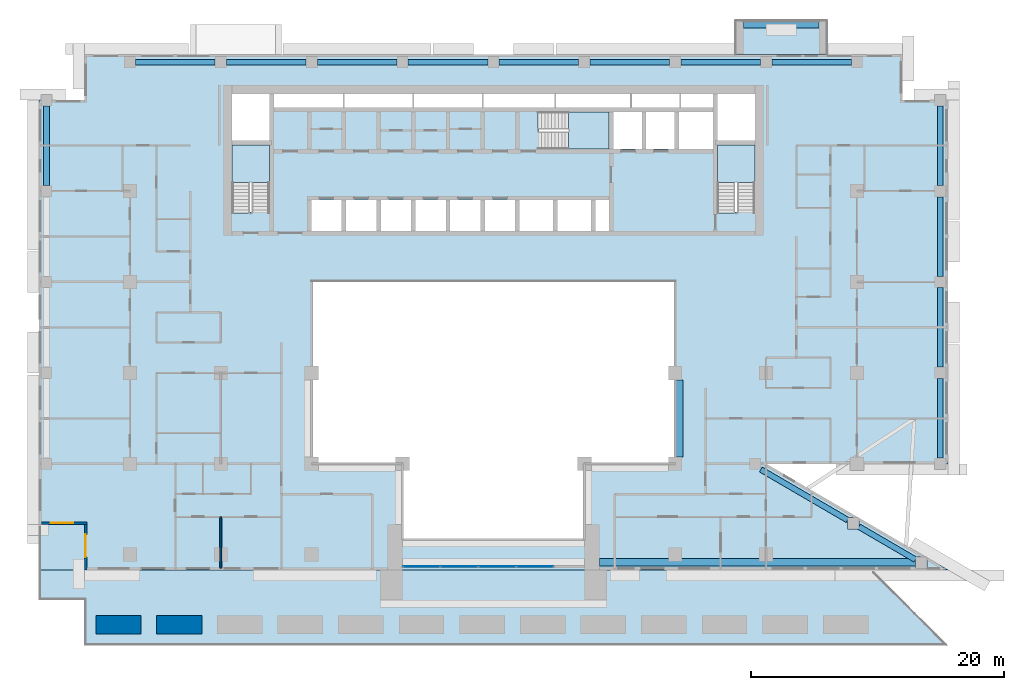
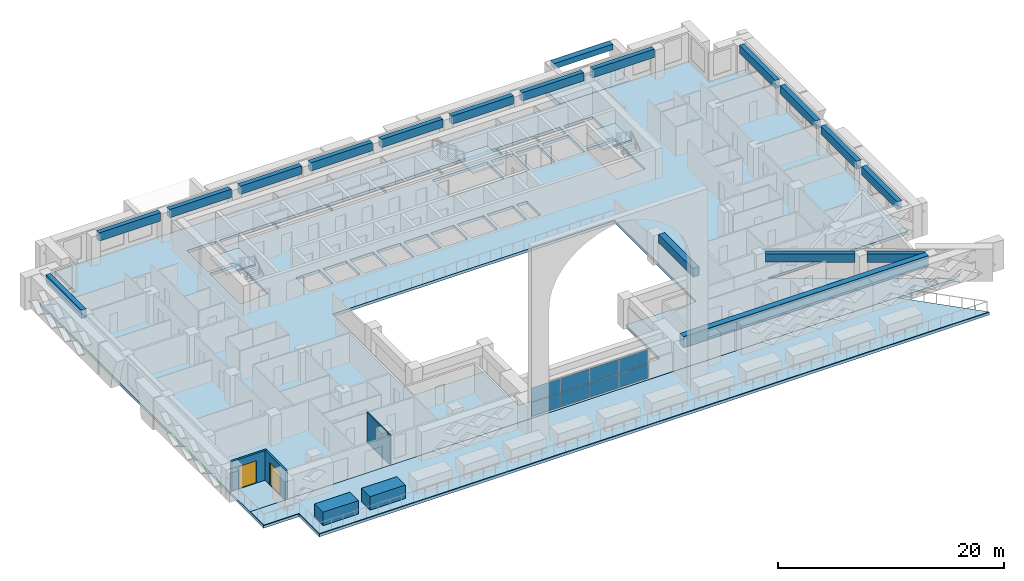
# One storey, part 5 of 17: 18 beams, 8 plates, 7 slabs, 5 walls, 2 doors, 2 openings, 4 elements without a shape of their own.
"""IFC4 building model written with IfcOpenShell, lengths in metres."""

from ifc_helpers import new_model, si_unit, direction, frame, frame_2d, origin, origin_2d, place, context, subcontext, project, spatial, polyline, rectangle, outline, extrude, source, transform, mapped, material, layer, layer_set, material_profile, profile_set, type_object, element, fill, aggregate, save


model = new_model("IFC4")

# Units and contexts
model_context = context("Model", 3, precision=1e-05, world=origin(), true_north=direction((0.0, 1.0)))
body_context = subcontext(model_context, "Body", "Model", "MODEL_VIEW")
ifc_project = project(units=[si_unit("LENGTHUNIT", "METRE"), si_unit("AREAUNIT", "SQUARE_METRE"), si_unit("VOLUMEUNIT", "CUBIC_METRE"), si_unit("PLANEANGLEUNIT", "RADIAN"), si_unit("MASSUNIT", "GRAM", prefix="KILO")], contexts=[model_context])

# Site, building, storey
site_placement = place(None, origin())
site = spatial("IfcSite", under=ifc_project, at=site_placement, CompositionType="ELEMENT")
building_placement = place(site_placement, origin())
building = spatial("IfcBuilding", under=site, at=building_placement, Name="Saffron Iwan Residences", CompositionType="ELEMENT")
storey_placement = place(building_placement, frame((0.0, 0.0, 113.0)))
storey = spatial("IfcBuildingStorey", under=building, at=storey_placement, Name="L29", CompositionType="ELEMENT", Elevation=113.0)

# Beams
ifc_material_1 = material(Name="Concrete C50/60", Category="concrete")
ifc_material_profile_1 = material_profile(ifc_material_1, rectangle(XDim=0.449951171875, YDim=0.89990234375, at=origin_2d()), Name="RC 450x900")
ifc_profile_set_1 = profile_set([ifc_material_profile_1], Name="Concrete C50/60")
beam_type_1 = type_object("IfcBeamType", Name="SPANDREL BEAM RC 450x900 C50/60 TOP 3200", PredefinedType="SPANDREL", material=ifc_profile_set_1)
shared_shape_1 = source(origin(), body_context, "Body", "SweptSolid", [
    extrude(rectangle(XDim=0.449951171875, YDim=0.89990234375, at=origin_2d()), origin(), (0.0, 0.0, 1.0), 5.184814453125),
])
beam_1_placement = place(storey_placement, frame((79.34765625, 43.019287109375, 2.75), z_axis=(0.86377206948, -0.503882736345, 0.0), x_axis=(0.503882736345, 0.86377206948, 0.0)))
element("IfcBeam", 1, at=beam_1_placement, inside=storey, type_object=beam_type_1, Name="Spandrel beam", PredefinedType="SPANDREL", context=body_context, shape_type="MappedRepresentation", body=[
    mapped(shared_shape_1, transform((0.0, 0.0, 0.0))),
])
shared_shape_2 = source(origin(), body_context, "Body", "SweptSolid", [
    extrude(rectangle(XDim=0.449951171875, YDim=0.89990234375, at=origin_2d()), origin(), (0.0, 0.0, 1.0), 7.9501953125),
])
beam_2_placement = place(storey_placement, frame((71.58056640625, 47.550048828125, 2.75), z_axis=(0.863778900898, -0.503871025524, 0.0), x_axis=(0.503871025524, 0.863778900898, 0.0)))
element("IfcBeam", 2, at=beam_2_placement, inside=storey, type_object=beam_type_1, Name="Spandrel beam", PredefinedType="SPANDREL", context=body_context, shape_type="MappedRepresentation", body=[
    mapped(shared_shape_2, transform((0.0, 0.0, 0.0))),
])
shared_shape_3 = source(origin(), body_context, "Body", "SweptSolid", [
    extrude(rectangle(XDim=0.449951171875, YDim=0.89990234375, at=origin_2d()), origin(), (0.0, 0.0, 1.0), 6.300048828125),
])
for number, where, z_axis, x_axis, name in (
    (3, (85.800048828125, 54.75, 2.75), (0.0, -1.0, 0.0), (1.0, 0.0, 0.0), "Spandrel beam"),
    (4, (85.800048828125, 61.949951171875, 2.75), (0.0, -1.0, 0.0), (1.0, 0.0, 0.0), "Spandrel beam"),
    (5, (15.0, 70.050048828125, 2.75), (0.0, 1.0, 0.0), (-1.0, 0.0, 0.0), "Spandrel beam"),
    (6, (85.800048828125, 76.35009765625, 2.75), (0.0, -1.0, 0.0), (1.0, 0.0, 0.0), "Spandrel beam"),
    (7, (22.050048828125, 79.800048828125, 2.75), (1.0, 0.0, 0.0), (0.0, 1.0, 0.0), "Spandrel beam"),
    (8, (29.25, 79.800048828125, 2.75), (1.0, 0.0, 0.0), (0.0, 1.0, 0.0), "Spandrel beam"),
    (9, (36.449951171875, 79.800048828125, 2.75), (1.0, 0.0, 0.0), (0.0, 1.0, 0.0), "Spandrel beam"),
    (10, (43.64990234375, 79.800048828125, 2.75), (1.0, 0.0, 0.0), (0.0, 1.0, 0.0), "Spandrel beam"),
    (11, (58.050048828125, 79.800048828125, 2.75), (1.0, 0.0, 0.0), (0.0, 1.0, 0.0), "Spandrel beam"),
    (12, (65.25, 79.800048828125, 2.75), (1.0, 0.0, 0.0), (0.0, 1.0, 0.0), "Spandrel beam"),
    (13, (72.449951171875, 79.800048828125, 2.75), (1.0, 0.0, 0.0), (0.0, 1.0, 0.0), "Spandrel beam"),
):
    element("IfcBeam", number, at=place(storey_placement, frame(where, z_axis=z_axis, x_axis=x_axis)), inside=storey, type_object=beam_type_1, Name=name, PredefinedType="SPANDREL", context=body_context, shape_type="MappedRepresentation", body=[
        mapped(shared_shape_3, transform((0.0, 0.0, 0.0))),
    ])
shared_shape_4 = source(origin(), body_context, "Body", "SweptSolid", [
    extrude(rectangle(XDim=0.449951171875, YDim=0.89990234375, at=origin_2d()), origin(), (0.0, 0.0, 1.0), 6.2998046875),
])
for number, where, z_axis, x_axis, name in (
    (14, (85.800048828125, 69.14990234375, 2.75), (0.0, -1.0, 0.0), (1.0, 0.0, 0.0), "Spandrel beam"),
    (15, (50.85009765625, 79.800048828125, 2.75), (1.0, 0.0, 0.0), (0.0, 1.0, 0.0), "Spandrel beam"),
):
    element("IfcBeam", number, at=place(storey_placement, frame(where, z_axis=z_axis, x_axis=x_axis)), inside=storey, type_object=beam_type_1, Name=name, PredefinedType="SPANDREL", context=body_context, shape_type="MappedRepresentation", body=[
        mapped(shared_shape_4, transform((0.0, 0.0, 0.0))),
    ])
ifc_material_profile_2 = material_profile(ifc_material_1, rectangle(XDim=0.60009765625, YDim=1.199951171875, at=origin_2d()), Name="RC 600x1200")
ifc_profile_set_2 = profile_set([ifc_material_profile_2], Name="Concrete C50/60")
beam_type_2 = type_object("IfcBeamType", Name="LINTEL BEAM RC 600x1200 C50/60 TOP 3200", PredefinedType="LINTEL", material=ifc_profile_set_2)
shared_shape_5 = source(origin(), body_context, "Body", "SweptSolid", [
    extrude(rectangle(XDim=0.60009765625, YDim=1.199951171875, at=origin_2d()), origin(), (0.0, 0.0, 1.0), 25.026123046875),
])
beam_3_placement = place(storey_placement, frame((83.826171875, 40.199951171875, 2.60009765625), z_axis=(-1.0, 0.0, 0.0), x_axis=(0.0, -1.0, 0.0)))
element("IfcBeam", 16, at=beam_3_placement, inside=storey, type_object=beam_type_2, Name="Lintel beam over the iwan", PredefinedType="LINTEL", context=body_context, shape_type="MappedRepresentation", body=[
    mapped(shared_shape_5, transform((0.0, 0.0, 0.0))),
])
ifc_material_profile_3 = material_profile(ifc_material_1, rectangle(XDim=0.60009765625, YDim=0.89990234375, at=origin_2d()), Name="RC 600x900")
ifc_profile_set_3 = profile_set([ifc_material_profile_3], Name="Concrete C50/60")
beam_type_3 = type_object("IfcBeamType", Name="BEAM RC 600x900 C50/60 TOP 3200", PredefinedType="BEAM", material=ifc_profile_set_3)
shared_shape_6 = source(origin(), body_context, "Body", "SweptSolid", [
    extrude(rectangle(XDim=0.60009765625, YDim=0.89990234375, at=origin_2d()), origin(), (0.0, 0.0, 1.0), 6.099853515625),
])
beam_4_placement = place(storey_placement, frame((65.10009765625, 54.64990234375, 2.75), z_axis=(0.0, -1.0, 0.0), x_axis=(1.0, 0.0, 0.0)))
element("IfcBeam", 17, at=beam_4_placement, inside=storey, type_object=beam_type_3, Name="Atrium edge beam", PredefinedType="BEAM", context=body_context, shape_type="MappedRepresentation", body=[
    mapped(shared_shape_6, transform((0.0, 0.0, 0.0))),
])
ifc_material_2 = material(Name="Concrete C50/60 white painted", Category="concrete")
ifc_material_profile_4 = material_profile(ifc_material_2, rectangle(XDim=0.60009765625, YDim=0.60009765625, at=origin_2d()), Name="BALCONY FASCIA BEAM 600 x 600")
ifc_profile_set_4 = profile_set([ifc_material_profile_4], Name="Concrete C50/60 white painted")
beam_type_4 = type_object("IfcBeamType", Name="BALCONY FASCIA BEAM 600 x 600", PredefinedType="BEAM", material=ifc_profile_set_4)
shared_shape_7 = source(origin(), body_context, "Body", "SweptSolid", [
    extrude(rectangle(XDim=0.60009765625, YDim=0.60009765625, at=origin_2d()), origin(), (0.0, 0.0, 1.0), 6.0),
])
beam_5_placement = place(storey_placement, frame((76.199951171875, 82.800048828125, 2.550048828125), z_axis=(-1.0, 0.0, 0.0), x_axis=(0.0, -1.0, 0.0)))
element("IfcBeam", 18, at=beam_5_placement, inside=storey, type_object=beam_type_4, Name="Balcony fascia beam L29 F5-0", PredefinedType="BEAM", context=body_context, shape_type="MappedRepresentation", body=[
    mapped(shared_shape_7, transform((0.0, 0.0, 0.0))),
])

# Slabs
ifc_layer_1 = layer(ifc_material_2, 0.60009765625)
ifc_layer_set_1 = layer_set([ifc_layer_1], Name="Concrete C50/60 white painted")
slab_type_1 = type_object("IfcSlabType", Name="BALCONY FRAME SLAB 600", PredefinedType="FLOOR", material=ifc_layer_set_1)
slab_1_placement = place(storey_placement, frame((0.0, 0.0, -0.60009765625)))
element("IfcSlab", 19, at=slab_1_placement, inside=storey, type_object=slab_type_1, Name="Balcony frame slab L29 F5-0", PredefinedType="FLOOR", context=body_context, shape_type="SweptSolid", body=[
    extrude(outline(polyline([(76.800048828125, 83.10009765625), (69.60009765625, 83.10009765625), (69.60009765625, 80.39990234375), (76.800048828125, 80.39990234375), (76.800048828125, 83.10009765625)])), origin(), (0.0, 0.0, 1.0), 0.60009765625),
])
ifc_material_3 = material(Name="Concrete C40/50", Category="concrete")
ifc_layer_2 = layer(ifc_material_3, 0.300048828125)
ifc_layer_set_2 = layer_set([ifc_layer_2], Name="Concrete C40/50")
slab_type_2 = type_object("IfcSlabType", Name="PT PLATE 300 C40/50", PredefinedType="FLOOR", material=ifc_layer_set_2)
slab_2_placement = place(storey_placement, frame((0.0, 0.0, -0.300048828125)))
element("IfcSlab", 20, at=slab_2_placement, inside=storey, type_object=slab_type_2, Name="Floor slab L29", PredefinedType="FLOOR", context=body_context, shape_type="SweptSolid", body=[
    extrude(outline(polyline([(14.39990234375, 43.199951171875), (14.39990234375, 76.800048828125), (18.0, 76.800048828125), (18.0, 80.39990234375), (82.800048828125, 80.39990234375), (82.800048828125, 76.800048828125), (86.39990234375, 76.800048828125), (86.39990234375, 48.0), (72.0, 48.0), (79.317138671875, 43.731689453125), (78.44775390625, 43.731689453125), (78.44775390625, 42.831787109375), (79.34765625, 42.831787109375), (79.34765625, 43.7138671875), (84.644287109375, 40.624267578125), (83.826171875, 40.624267578125), (83.826171875, 39.72412109375), (84.726318359375, 39.72412109375), (84.726318359375, 40.576416015625), (86.39990234375, 39.60009765625), (18.0, 39.60009765625), (18.0, 43.199951171875), (14.39990234375, 43.199951171875)]), holes=[polyline([(64.800048828125, 48.0), (64.800048828125, 62.39990234375), (36.0, 62.39990234375), (36.0, 48.0), (43.199951171875, 48.0), (43.199951171875, 42.0), (57.60009765625, 42.0), (57.60009765625, 48.0), (64.800048828125, 48.0)]), polyline([(38.375, 68.875), (35.97509765625, 68.875), (35.97509765625, 66.449951171875), (38.375, 66.449951171875), (38.375, 68.875)]), polyline([(41.125, 66.449951171875), (41.125, 68.875), (38.72509765625, 68.875), (38.72509765625, 66.449951171875), (41.125, 66.449951171875)]), polyline([(43.875, 66.449951171875), (43.875, 68.875), (41.47509765625, 68.875), (41.47509765625, 66.449951171875), (43.875, 66.449951171875)]), polyline([(46.625, 68.875), (44.22509765625, 68.875), (44.22509765625, 66.449951171875), (46.625, 66.449951171875), (46.625, 68.875)]), polyline([(49.375, 66.449951171875), (49.375, 68.875), (46.97509765625, 68.875), (46.97509765625, 66.449951171875), (49.375, 66.449951171875)]), polyline([(52.125, 66.449951171875), (52.125, 68.875), (49.72509765625, 68.875), (49.72509765625, 66.449951171875), (52.125, 66.449951171875)]), polyline([(55.125, 68.875), (52.47509765625, 68.875), (52.47509765625, 66.449951171875), (55.125, 66.449951171875), (55.125, 68.875)]), polyline([(32.64990234375, 73.25), (29.699951171875, 73.25), (29.699951171875, 67.949951171875), (29.699951171875, 67.8505859375), (31.10009765625, 67.8505859375), (31.10009765625, 67.949951171875), (32.64990234375, 67.949951171875), (32.64990234375, 73.25)]), polyline([(32.64990234375, 73.60009765625), (32.64990234375, 77.300048828125), (29.699951171875, 77.300048828125), (29.699951171875, 73.60009765625), (32.64990234375, 73.60009765625)]), polyline([(38.5, 76.22509765625), (38.5, 77.300048828125), (33.0, 77.300048828125), (33.0, 76.22509765625), (38.5, 76.22509765625)]), polyline([(44.0, 76.22509765625), (44.0, 77.300048828125), (38.60009765625, 77.300048828125), (38.60009765625, 76.22509765625), (44.0, 76.22509765625)]), polyline([(49.5, 76.22509765625), (49.5, 77.300048828125), (44.10009765625, 77.300048828125), (44.10009765625, 76.22509765625), (49.5, 76.22509765625)]), polyline([(55.25, 76.22509765625), (55.25, 77.300048828125), (49.60009765625, 77.300048828125), (49.60009765625, 76.22509765625), (55.25, 76.22509765625)]), polyline([(58.125, 66.449951171875), (58.125, 68.875), (55.47509765625, 68.875), (55.47509765625, 66.449951171875), (58.125, 66.449951171875)]), polyline([(59.550048828125, 68.875), (58.47509765625, 68.875), (58.47509765625, 66.449951171875), (59.550048828125, 66.449951171875), (59.550048828125, 68.875)]), polyline([(71.10009765625, 73.25), (68.14990234375, 73.25), (68.14990234375, 67.949951171875), (68.14990234375, 67.8505859375), (69.550048828125, 67.8505859375), (69.550048828125, 67.949951171875), (71.10009765625, 67.949951171875), (71.10009765625, 73.25)]), polyline([(53.925537109375, 74.47509765625), (54.02490234375, 74.47509765625), (54.02490234375, 72.925048828125), (59.550048828125, 72.925048828125), (59.550048828125, 75.875), (54.02490234375, 75.875), (53.925537109375, 75.875), (53.925537109375, 74.47509765625)]), polyline([(62.14990234375, 75.875), (59.89990234375, 75.875), (59.89990234375, 72.925048828125), (62.14990234375, 72.925048828125), (62.14990234375, 75.875)]), polyline([(64.75, 72.925048828125), (64.75, 75.875), (62.5, 75.875), (62.5, 72.925048828125), (64.75, 72.925048828125)]), polyline([(67.800048828125, 72.925048828125), (67.800048828125, 75.875), (65.10009765625, 75.875), (65.10009765625, 72.925048828125), (67.800048828125, 72.925048828125)]), polyline([(71.10009765625, 73.60009765625), (71.10009765625, 77.300048828125), (68.14990234375, 77.300048828125), (68.14990234375, 73.60009765625), (71.10009765625, 73.60009765625)]), polyline([(61.25, 76.22509765625), (61.25, 77.300048828125), (55.35009765625, 77.300048828125), (55.35009765625, 76.22509765625), (61.25, 76.22509765625)]), polyline([(65.14990234375, 76.22509765625), (65.14990234375, 77.300048828125), (61.35009765625, 77.300048828125), (61.35009765625, 76.22509765625), (65.14990234375, 76.22509765625)]), polyline([(67.800048828125, 76.22509765625), (67.800048828125, 77.300048828125), (65.25, 77.300048828125), (65.25, 76.22509765625), (67.800048828125, 76.22509765625)])]), origin(), (0.0, 0.0, 1.0), 0.300048828125),
])
ifc_layer_3 = layer(ifc_material_3, 0.300048828125)
ifc_layer_set_3 = layer_set([ifc_layer_3], Name="Concrete C40/50")
slab_type_3 = type_object("IfcSlabType", Name="PT TERRACE PLATE 300 C40/50", PredefinedType="FLOOR", material=ifc_layer_set_3)
slab_3_placement = place(storey_placement, frame((0.0, 0.0, -0.300048828125)))
element("IfcSlab", 21, at=slab_3_placement, inside=storey, type_object=slab_type_3, Name="Terrace slab L29", PredefinedType="FLOOR", context=body_context, shape_type="SweptSolid", body=[
    extrude(outline(polyline([(14.39990234375, 43.199951171875), (18.0, 43.199951171875), (18.0, 39.60009765625), (80.39990234375, 39.60009765625), (86.39990234375, 33.60009765625), (18.0, 33.60009765625), (18.0, 37.199951171875), (14.39990234375, 37.199951171875), (14.39990234375, 43.199951171875)])), origin(), (0.0, 0.0, 1.0), 0.300048828125),
])

# Stair, slab
stair_type = type_object("IfcStairType", Name="Stair ST-CORE", PredefinedType="HALF_TURN_STAIR", material=ifc_material_1)
stair_1_placement = place(storey_placement, origin())
stair_1 = element("IfcStair", 22, at=stair_1_placement, inside=storey, type_object=stair_type, Name="L29 Exit Stair ST-W", PredefinedType="HALF_TURN_STAIR")
ifc_layer_4 = layer(ifc_material_1, 0.199951171875)
ifc_layer_set_4 = layer_set([ifc_layer_4], Name="Concrete C50/60")
slab_type_4 = type_object("IfcSlabType", Name="Stair landing SL-RC", PredefinedType="LANDING", material=ifc_layer_set_4)
slab_4_placement = place(storey_placement, frame((0.0, 0.0, 1.5498046875)))
slab_4 = element("IfcSlab", 23, at=slab_4_placement, type_object=slab_type_4, Name="ST-W landing 1", PredefinedType="LANDING", context=body_context, shape_type="SweptSolid", body=[
    extrude(outline(polyline([(32.64990234375, 70.280029296875), (32.64990234375, 73.25), (29.699951171875, 73.25), (29.699951171875, 70.280029296875), (32.64990234375, 70.280029296875)])), origin(), (0.0, 0.0, 1.0), 0.2001953125),
])
aggregate(stair_1, [slab_4])

stair_2_placement = place(storey_placement, origin())
stair_2 = element("IfcStair", 24, at=stair_2_placement, inside=storey, type_object=stair_type, Name="L29 Exit Stair ST-C", PredefinedType="HALF_TURN_STAIR")
slab_5_placement = place(storey_placement, frame((0.0, 0.0, 1.5498046875)))
slab_5 = element("IfcSlab", 25, at=slab_5_placement, type_object=slab_type_4, Name="ST-C landing 1", PredefinedType="LANDING", context=body_context, shape_type="SweptSolid", body=[
    extrude(outline(polyline([(56.35498046875, 72.925048828125), (59.550048828125, 72.925048828125), (59.550048828125, 75.875), (56.35498046875, 75.875), (56.35498046875, 72.925048828125)])), origin(), (0.0, 0.0, 1.0), 0.2001953125),
])
aggregate(stair_2, [slab_5])

stair_3_placement = place(storey_placement, origin())
stair_3 = element("IfcStair", 26, at=stair_3_placement, inside=storey, type_object=stair_type, Name="L29 Exit Stair ST-E", PredefinedType="HALF_TURN_STAIR")
slab_6_placement = place(storey_placement, frame((0.0, 0.0, 1.5498046875)))
slab_6 = element("IfcSlab", 27, at=slab_6_placement, type_object=slab_type_4, Name="ST-E landing 1", PredefinedType="LANDING", context=body_context, shape_type="SweptSolid", body=[
    extrude(outline(polyline([(71.10009765625, 70.280029296875), (71.10009765625, 73.25), (68.14990234375, 73.25), (68.14990234375, 70.280029296875), (71.10009765625, 70.280029296875)])), origin(), (0.0, 0.0, 1.0), 0.2001953125),
])
aggregate(stair_3, [slab_6])

# Slab
ifc_material_4 = material(Name="Stone paving", Category="masonry")
ifc_layer_5 = layer(ifc_material_4, 0.050048828125)
ifc_layer_set_5 = layer_set([ifc_layer_5], Name="Stone paving")
slab_type_5 = type_object("IfcSlabType", Name="TERRACE PAVING 50", PredefinedType="USERDEFINED", material=ifc_layer_set_5)
slab_7_placement = place(storey_placement, origin())
element("IfcSlab", 28, at=slab_7_placement, inside=storey, type_object=slab_type_5, Name="Terrace paving L29 S1", ObjectType="PAVING", PredefinedType="USERDEFINED", context=body_context, shape_type="SweptSolid", body=[
    extrude(outline(polyline([(18.0, 37.199951171875), (18.0, 33.60009765625), (86.39990234375, 33.60009765625), (80.39990234375, 39.60009765625), (18.0, 39.60009765625), (14.39990234375, 39.60009765625), (14.39990234375, 37.199951171875), (18.0, 37.199951171875)])), origin(), (0.0, 0.0, 1.0), 0.050048828125),
])

# Curtain wall, plates
ifc_material_5 = material(Name="Clear glass, laminated double glazed", Category="glass")
ifc_layer_6 = layer(ifc_material_5, 0.199951171875)
ifc_layer_set_6 = layer_set([ifc_layer_6], Name="Clear glass, laminated double glazed")
curtain_wall_type = type_object("IfcCurtainWallType", Name="CW-B IWAN PORTAL", PredefinedType="NOTDEFINED", material=ifc_layer_set_6)
curtain_wall_placement = place(storey_placement, origin())
curtain_wall = element("IfcCurtainWall", 29, at=curtain_wall_placement, inside=storey, type_object=curtain_wall_type, Name="Iwan portal glazing L29.1", PredefinedType="NOTDEFINED")
ifc_layer_7 = layer(ifc_material_5, 0.028076171875)
ifc_layer_set_7 = layer_set([ifc_layer_7], Name="Clear glass, laminated double glazed")
plate_type = type_object("IfcPlateType", Name="CW-B PANEL 28", PredefinedType="CURTAIN_PANEL", material=ifc_layer_set_7)
shared_shape_8 = source(origin(), body_context, "Body", "SweptSolid", [
    extrude(rectangle(XDim=2.909912109375, YDim=0.028076171875, at=origin_2d()), origin(), (0.0, 0.0, 1.0), 1.510009765625),
])
plate_1_placement = place(storey_placement, frame((44.715087890625, 39.85009765625, 0.06005859375), z_axis=(0.0, 0.0, 1.0), x_axis=(1.0, 0.0, 0.0)))
plate_1 = element("IfcPlate", 30, at=plate_1_placement, type_object=plate_type, Name="CW-B panel 1.1", PredefinedType="CURTAIN_PANEL", context=body_context, shape_type="MappedRepresentation", body=[
    mapped(shared_shape_8, transform((0.0, 0.0, 0.0))),
])
plate_2_placement = place(storey_placement, frame((44.715087890625, 39.85009765625, 1.6298828125), z_axis=(0.0, 0.0, 1.0), x_axis=(1.0, 0.0, 0.0)))
plate_2 = element("IfcPlate", 31, at=plate_2_placement, type_object=plate_type, Name="CW-B panel 1.2", PredefinedType="CURTAIN_PANEL", context=body_context, shape_type="MappedRepresentation", body=[
    mapped(shared_shape_8, transform((0.0, 0.0, 0.0))),
])
plate_3_placement = place(storey_placement, frame((53.68505859375, 39.85009765625, 0.06005859375), z_axis=(0.0, 0.0, 1.0), x_axis=(1.0, 0.0, 0.0)))
plate_3 = element("IfcPlate", 32, at=plate_3_placement, type_object=plate_type, Name="CW-B panel 4.1", PredefinedType="CURTAIN_PANEL", context=body_context, shape_type="MappedRepresentation", body=[
    mapped(shared_shape_8, transform((0.0, 0.0, 0.0))),
])
plate_4_placement = place(storey_placement, frame((53.68505859375, 39.85009765625, 1.6298828125), z_axis=(0.0, 0.0, 1.0), x_axis=(1.0, 0.0, 0.0)))
plate_4 = element("IfcPlate", 33, at=plate_4_placement, type_object=plate_type, Name="CW-B panel 4.2", PredefinedType="CURTAIN_PANEL", context=body_context, shape_type="MappedRepresentation", body=[
    mapped(shared_shape_8, transform((0.0, 0.0, 0.0))),
])
shared_shape_9 = source(origin(), body_context, "Body", "SweptSolid", [
    extrude(rectangle(XDim=2.93994140625, YDim=0.028076171875, at=origin_2d()), origin(), (0.0, 0.0, 1.0), 1.510009765625),
])
plate_5_placement = place(storey_placement, frame((47.699951171875, 39.85009765625, 0.06005859375), z_axis=(0.0, 0.0, 1.0), x_axis=(1.0, 0.0, 0.0)))
plate_5 = element("IfcPlate", 34, at=plate_5_placement, type_object=plate_type, Name="CW-B panel 2.1", PredefinedType="CURTAIN_PANEL", context=body_context, shape_type="MappedRepresentation", body=[
    mapped(shared_shape_9, transform((0.0, 0.0, 0.0))),
])
plate_6_placement = place(storey_placement, frame((47.699951171875, 39.85009765625, 1.6298828125), z_axis=(0.0, 0.0, 1.0), x_axis=(1.0, 0.0, 0.0)))
plate_6 = element("IfcPlate", 35, at=plate_6_placement, type_object=plate_type, Name="CW-B panel 2.2", PredefinedType="CURTAIN_PANEL", context=body_context, shape_type="MappedRepresentation", body=[
    mapped(shared_shape_9, transform((0.0, 0.0, 0.0))),
])
plate_7_placement = place(storey_placement, frame((50.699951171875, 39.85009765625, 0.06005859375), z_axis=(0.0, 0.0, 1.0), x_axis=(1.0, 0.0, 0.0)))
plate_7 = element("IfcPlate", 36, at=plate_7_placement, type_object=plate_type, Name="CW-B panel 3.1", PredefinedType="CURTAIN_PANEL", context=body_context, shape_type="MappedRepresentation", body=[
    mapped(shared_shape_9, transform((0.0, 0.0, 0.0))),
])
plate_8_placement = place(storey_placement, frame((50.699951171875, 39.85009765625, 1.6298828125), z_axis=(0.0, 0.0, 1.0), x_axis=(1.0, 0.0, 0.0)))
plate_8 = element("IfcPlate", 37, at=plate_8_placement, type_object=plate_type, Name="CW-B panel 3.2", PredefinedType="CURTAIN_PANEL", context=body_context, shape_type="MappedRepresentation", body=[
    mapped(shared_shape_9, transform((0.0, 0.0, 0.0))),
])
aggregate(curtain_wall, [plate_1, plate_2, plate_5, plate_6, plate_7, plate_8, plate_3, plate_4])

# Wall, opening, door
ifc_layer_8 = layer(ifc_material_3, 0.199951171875)
ifc_layer_set_8 = layer_set([ifc_layer_8], Name="Concrete C40/50")
wall_type_1 = type_object("IfcWallType", Name="EXTERNAL WALL 200", PredefinedType="SOLIDWALL", material=ifc_layer_set_8)
wall_1_placement = place(storey_placement, frame((14.60009765625, 43.300048828125, 0.0), z_axis=(0.0, 0.0, 1.0), x_axis=(1.0, 0.0, 0.0)))
wall_1 = element("IfcWall", 38, at=wall_1_placement, inside=storey, type_object=wall_type_1, Name="External wall L29 F9.0", PredefinedType="SOLIDWALL", context=body_context, shape_type="SweptSolid", body=[
    extrude(rectangle(XDim=3.599853515625, YDim=0.199951171875, at=frame_2d((1.7998046875, 0.0))), origin(), (0.0, 0.0, 1.0), 3.199951171875),
])
opening_1_placement = place(wall_1_placement, frame((0.72509765625, 0.0, 0.0)))
opening_1 = element("IfcOpeningElement", 39, at=opening_1_placement, cuts=wall_1, Name="Opening BD1", PredefinedType="OPENING", context=body_context, shape_type="SweptSolid", body=[
    extrude(rectangle(XDim=1.800048828125, YDim=2.39990234375, at=frame_2d((0.89990234375, 1.199951171875))), frame((0.0, 0.10986328125, 0.0), z_axis=(0.0, -1.0, 0.0), x_axis=(1.0, 0.0, 0.0)), (0.0, 0.0, 1.0), 0.219970703125),
])
door_type = type_object("IfcDoorType", Name="BALCONY DOOR 1800 x 2400", OperationType="DOUBLE_DOOR_SLIDING", PredefinedType="DOOR", material=ifc_material_5)
door_1_placement = place(opening_1_placement, origin())
door_1 = element("IfcDoor", 40, at=door_1_placement, inside=storey, type_object=door_type, Name="Balcony door L29 F9.0", OperationType="DOUBLE_DOOR_SLIDING", OverallHeight=2.39990234375, OverallWidth=1.800048828125, PredefinedType="DOOR", context=body_context, shape_type="SweptSolid", body=[
    extrude(rectangle(XDim=1.800048828125, YDim=2.39990234375, at=frame_2d((0.89990234375, 1.199951171875))), frame((0.0, 0.02490234375, 0.0), z_axis=(0.0, -1.0, 0.0), x_axis=(1.0, 0.0, 0.0)), (0.0, 0.0, 1.0), 0.050048828125),
])
fill(opening_1, door_1)

wall_2_placement = place(storey_placement, frame((18.10009765625, 43.199951171875, 0.0), z_axis=(0.0, 0.0, 1.0), x_axis=(0.0, -1.0, 0.0)))
wall_2 = element("IfcWall", 41, at=wall_2_placement, inside=storey, type_object=wall_type_1, Name="External wall L29 F10.0", PredefinedType="SOLIDWALL", context=body_context, shape_type="SweptSolid", body=[
    extrude(rectangle(XDim=3.599853515625, YDim=0.199951171875, at=frame_2d((1.7998046875, 0.0))), origin(), (0.0, 0.0, 1.0), 3.199951171875),
])
opening_2_placement = place(wall_2_placement, frame((0.800048828125, 0.0, 0.0)))
opening_2 = element("IfcOpeningElement", 42, at=opening_2_placement, cuts=wall_2, Name="Opening BD1", PredefinedType="OPENING", context=body_context, shape_type="SweptSolid", body=[
    extrude(rectangle(XDim=1.800048828125, YDim=2.39990234375, at=frame_2d((0.89990234375, 1.199951171875))), frame((0.0, 0.10986328125, 0.0), z_axis=(0.0, -1.0, 0.0), x_axis=(1.0, 0.0, 0.0)), (0.0, 0.0, 1.0), 0.219970703125),
])
door_2_placement = place(opening_2_placement, origin())
door_2 = element("IfcDoor", 43, at=door_2_placement, inside=storey, type_object=door_type, Name="Balcony door L29 F10.0", OperationType="DOUBLE_DOOR_SLIDING", OverallHeight=2.39990234375, OverallWidth=1.800048828125, PredefinedType="DOOR", context=body_context, shape_type="SweptSolid", body=[
    extrude(rectangle(XDim=1.800048828125, YDim=2.39990234375, at=frame_2d((0.89990234375, 1.199951171875))), frame((0.0, 0.02490234375, 0.0), z_axis=(0.0, -1.0, 0.0), x_axis=(1.0, 0.0, 0.0)), (0.0, 0.0, 1.0), 0.050048828125),
])
fill(opening_2, door_2)

# Walls
ifc_material_6 = material(Name="Gypsum board partition")
ifc_layer_9 = layer(ifc_material_6, 0.1201171875)
ifc_layer_set_9 = layer_set([ifc_layer_9], Name="Gypsum board partition")
wall_type_2 = type_object("IfcWallType", Name="Flat partition 120", PredefinedType="PARTITIONING", material=ifc_layer_set_9)
wall_3_placement = place(storey_placement, frame((28.800048828125, 39.72509765625, 0.0), z_axis=(0.0, 0.0, 1.0), x_axis=(0.0, 1.0, 0.0)))
element("IfcWall", 44, at=wall_3_placement, inside=storey, type_object=wall_type_2, Name="W-L29-PART-v28.8-39.725", PredefinedType="PARTITIONING", context=body_context, shape_type="SweptSolid", body=[
    extrude(rectangle(XDim=4.074951171875, YDim=0.1201171875, at=frame_2d((2.03759765625, 0.0))), origin(), (0.0, 0.0, 1.0), 3.199951171875),
])
ifc_layer_10 = layer(ifc_material_3, 1.5)
ifc_layer_set_10 = layer_set([ifc_layer_10], Name="Concrete C40/50")
wall_type_3 = type_object("IfcWallType", Name="SKY GARDEN PLANTER 1500", PredefinedType="STANDARD", material=ifc_layer_set_10)
for number, where, z_axis, x_axis, name in (
    (45, (18.89990234375, 35.25, 0.0), (0.0, 0.0, 1.0), (1.0, 0.0, 0.0), "PLANTER terrace 1"),
    (46, (23.699951171875, 35.25, 0.0), (0.0, 0.0, 1.0), (1.0, 0.0, 0.0), "PLANTER terrace 2"),
):
    element("IfcWall", number, at=place(storey_placement, frame(where, z_axis=z_axis, x_axis=x_axis)), inside=storey, type_object=wall_type_3, Name=name, PredefinedType="STANDARD", context=body_context, shape_type="SweptSolid", body=[
        extrude(rectangle(XDim=3.60009765625, YDim=1.5, at=frame_2d((1.800048828125, 0.0))), origin(), (0.0, 0.0, 1.0), 1.5),
    ])

save(model, "model.ifc")
